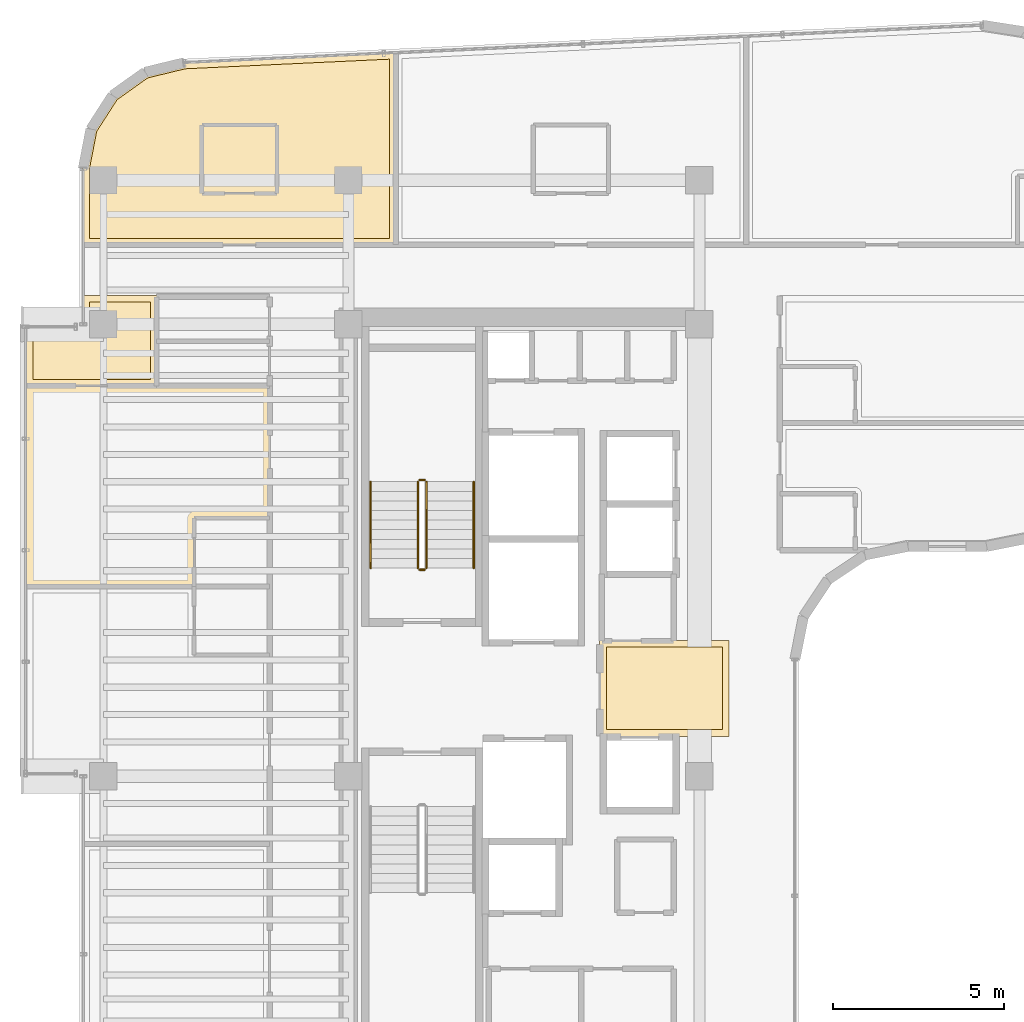
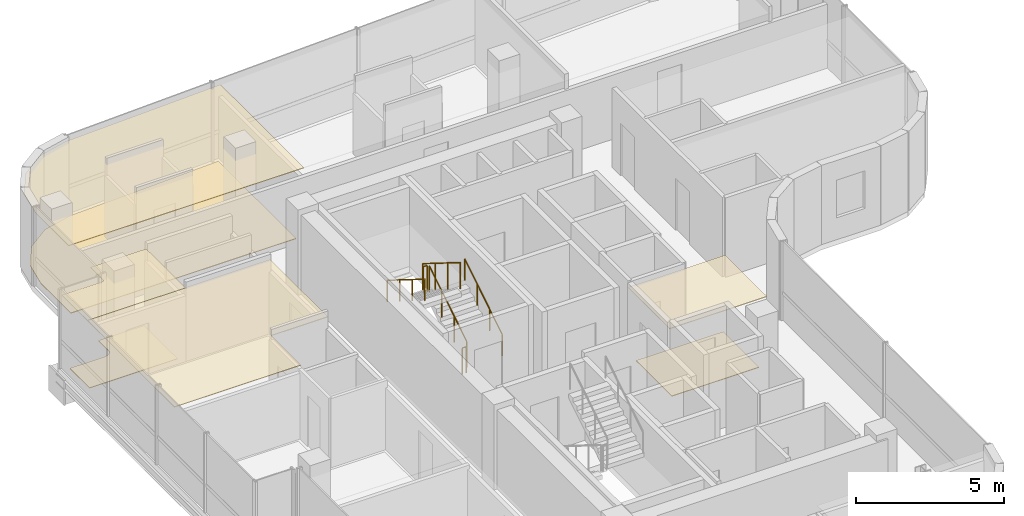
# One storey, part 19 of 20: 7 coverings, 6 railings.
"""IFC4 building model written with IfcOpenShell, lengths in metres."""

from ifc_helpers import new_model, si_unit, direction, frame, origin, origin_2d, place, context, subcontext, project, spatial, polyline, circle, outline, extrude, material, layer, layer_set, type_object, element, save


model = new_model("IFC4")

# Units and contexts
model_context = context("Model", 3, precision=1e-05, world=origin(), true_north=direction((0.0, 1.0)))
body_context = subcontext(model_context, "Body", "Model", "MODEL_VIEW")
ifc_project = project(units=[si_unit("LENGTHUNIT", "METRE"), si_unit("AREAUNIT", "SQUARE_METRE"), si_unit("VOLUMEUNIT", "CUBIC_METRE"), si_unit("PLANEANGLEUNIT", "RADIAN"), si_unit("MASSUNIT", "GRAM", prefix="KILO")], contexts=[model_context])

# Site, building, storey
site_placement = place(None, origin())
site = spatial("IfcSite", under=ifc_project, at=site_placement, CompositionType="ELEMENT")
building_placement = place(site_placement, origin())
building = spatial("IfcBuilding", under=site, at=building_placement, Name="Valdorenza Pilgrim Sanctuary Tower", CompositionType="ELEMENT")
storey_placement = place(building_placement, frame((0.0, 0.0, 244.0)))
storey = spatial("IfcBuildingStorey", under=building, at=storey_placement, Name="L63", CompositionType="ELEMENT", Elevation=244.0)

# Coverings
ifc_material_1 = material(Name="Micro-perforated acoustic mineral ceiling tile", Category="gypsum")
ifc_layer_1 = layer(ifc_material_1, 0.02490234375, Name="Micro-perforated acoustic mineral ceiling tile")
ifc_layer_set_1 = layer_set([ifc_layer_1], Name="Micro-perforated acoustic mineral ceiling tile")
covering_type_1 = type_object("IfcCoveringType", Name="COV-CLG-ACU", PredefinedType="CEILING", material=ifc_layer_set_1)
covering_1_placement = place(storey_placement, frame((0.0, 0.0, 2.9599609375)))
element("IfcCovering", 1, at=covering_1_placement, inside=storey, type_object=covering_type_1, Name="L63 Core A Passenger Lift Lobby Acoustic Ceiling", PredefinedType="CEILING", context=body_context, shape_type="SweptSolid", body=[
    extrude(outline(polyline([(-15.31494140625, 1.35009765625), (-15.31494140625, 1.3515625), (-15.314697265625, 1.352783203125), (-15.314453125, 1.3544921875), (-15.31396484375, 1.355712890625), (-15.313232421875, 1.357177734375), (-15.3125, 1.3583984375), (-15.3115234375, 1.359619140625), (-15.310546875, 1.360595703125), (-15.3095703125, 1.361572265625), (-15.308349609375, 1.362548828125), (-15.30712890625, 1.36328125), (-15.3056640625, 1.364013671875), (-15.304443359375, 1.364501953125), (-15.302978515625, 1.36474609375), (-15.301513671875, 1.364990234375), (-15.300048828125, 1.364990234375), (-11.550048828125, 1.364990234375), (-11.548583984375, 1.364990234375), (-11.547119140625, 1.36474609375), (-11.545654296875, 1.364501953125), (-11.544189453125, 1.364013671875), (-11.54296875, 1.36328125), (-11.541748046875, 1.362548828125), (-11.54052734375, 1.361572265625), (-11.539306640625, 1.360595703125), (-11.538330078125, 1.359619140625), (-11.53759765625, 1.3583984375), (-11.536865234375, 1.357177734375), (-11.5361328125, 1.355712890625), (-11.53564453125, 1.3544921875), (-11.535400390625, 1.352783203125), (-11.53515625, 1.3515625), (-11.534912109375, 1.35009765625), (-11.534912109375, -1.419921875), (-11.53515625, -1.42138671875), (-11.535400390625, -1.4228515625), (-11.53564453125, -1.42431640625), (-11.5361328125, -1.42578125), (-11.536865234375, -1.427001953125), (-11.53759765625, -1.42822265625), (-11.538330078125, -1.429443359375), (-11.539306640625, -1.4306640625), (-11.54052734375, -1.431640625), (-11.541748046875, -1.4326171875), (-11.54296875, -1.43310546875), (-11.544189453125, -1.433837890625), (-11.545654296875, -1.434326171875), (-11.547119140625, -1.434814453125), (-11.548583984375, -1.434814453125), (-11.550048828125, -1.43505859375), (-15.298095703125, -1.43505859375), (-15.299560546875, -1.434814453125), (-15.30078125, -1.434814453125), (-15.302490234375, -1.434326171875), (-15.3037109375, -1.433837890625), (-15.30517578125, -1.43310546875), (-15.306396484375, -1.4326171875), (-15.3076171875, -1.431640625), (-15.30859375, -1.4306640625), (-15.3095703125, -1.429443359375), (-15.310546875, -1.42822265625), (-15.311279296875, -1.427001953125), (-15.31201171875, -1.42578125), (-15.3125, -1.42431640625), (-15.312744140625, -1.4228515625), (-15.31298828125, -1.42138671875), (-15.31298828125, -1.419921875), (-15.31298828125, 1.244384765625), (-15.31298828125, 1.24462890625), (-15.313720703125, 1.24609375), (-15.314208984375, 1.24755859375), (-15.314697265625, 1.2490234375), (-15.31494140625, 1.25048828125), (-15.31494140625, 1.251953125), (-15.31494140625, 1.35009765625)])), origin(), (0.0, 0.0, 1.0), 0.025146484375),
])
covering_2_placement = place(storey_placement, frame((0.0, 0.0, 2.9599609375)))
element("IfcCovering", 2, at=covering_2_placement, inside=storey, type_object=covering_type_1, Name="L63 Pilgrim Scholar Office L63-WN Acoustic Ceiling", PredefinedType="CEILING", context=body_context, shape_type="SweptSolid", body=[
    extrude(outline(polyline([(-28.237060546875, 11.39453125), (-28.237060546875, 10.103759765625), (-28.23681640625, 10.10302734375), (-28.23681640625, 10.1015625), (-28.23681640625, 10.10009765625), (-28.23681640625, 10.098388671875), (-28.237060546875, 10.09814453125), (-28.237060546875, 8.800048828125), (-28.237060546875, 8.798583984375), (-28.2373046875, 8.797119140625), (-28.237548828125, 8.795654296875), (-28.238037109375, 8.794189453125), (-28.23876953125, 8.79296875), (-28.239501953125, 8.791748046875), (-28.240478515625, 8.79052734375), (-28.241455078125, 8.789306640625), (-28.242431640625, 8.788330078125), (-28.24365234375, 8.78759765625), (-28.244873046875, 8.786865234375), (-28.246337890625, 8.7861328125), (-28.24755859375, 8.78564453125), (-28.2490234375, 8.785400390625), (-28.25048828125, 8.78515625), (-28.251953125, 8.784912109375), (-32.0400390625, 8.784912109375), (-32.04150390625, 8.78515625), (-32.04296875, 8.785400390625), (-32.04443359375, 8.78564453125), (-32.045654296875, 8.7861328125), (-32.047119140625, 8.786865234375), (-32.04833984375, 8.78759765625), (-32.049560546875, 8.788330078125), (-32.050537109375, 8.789306640625), (-32.051513671875, 8.79052734375), (-32.052490234375, 8.791748046875), (-32.05322265625, 8.79296875), (-32.053955078125, 8.794189453125), (-32.054443359375, 8.795654296875), (-32.0546875, 8.797119140625), (-32.054931640625, 8.798583984375), (-32.054931640625, 8.800048828125), (-32.054931640625, 10.489990234375), (-32.054931640625, 10.491455078125), (-32.0546875, 10.492919921875), (-32.054443359375, 10.494384765625), (-32.053955078125, 10.49560546875), (-32.05322265625, 10.4970703125), (-32.052490234375, 10.498291015625), (-32.051513671875, 10.49951171875), (-32.050537109375, 10.50048828125), (-32.049560546875, 10.501708984375), (-32.04833984375, 10.50244140625), (-32.047119140625, 10.503173828125), (-32.045654296875, 10.50390625), (-32.04443359375, 10.50439453125), (-32.04296875, 10.504638671875), (-32.04150390625, 10.5048828125), (-32.0400390625, 10.5048828125), (-30.50048828125, 10.5048828125), (-30.49072265625, 10.505615234375), (-30.4814453125, 10.5068359375), (-30.472412109375, 10.509033203125), (-30.463623046875, 10.51220703125), (-30.455078125, 10.51611328125), (-30.447265625, 10.52099609375), (-30.439697265625, 10.526611328125), (-30.432861328125, 10.53271484375), (-30.426513671875, 10.539794921875), (-30.4208984375, 10.547119140625), (-30.416259765625, 10.55517578125), (-30.412109375, 10.563720703125), (-30.4091796875, 10.572509765625), (-30.40673828125, 10.58154296875), (-30.405517578125, 10.5908203125), (-30.405029296875, 10.600341796875), (-30.405029296875, 11.419921875), (-30.40478515625, 11.42138671875), (-30.40478515625, 11.4228515625), (-30.404296875, 11.42431640625), (-30.40380859375, 11.42578125), (-30.4033203125, 11.427001953125), (-30.402587890625, 11.42822265625), (-30.401611328125, 11.429443359375), (-30.400634765625, 11.4306640625), (-30.3994140625, 11.431640625), (-30.398193359375, 11.4326171875), (-30.397216796875, 11.43310546875), (-30.395751953125, 11.433837890625), (-30.394287109375, 11.434326171875), (-30.392822265625, 11.434814453125), (-30.3916015625, 11.434814453125), (-30.389892578125, 11.43505859375), (-28.25, 11.43505859375), (-28.24853515625, 11.434814453125), (-28.2470703125, 11.434814453125), (-28.24560546875, 11.434326171875), (-28.244384765625, 11.433837890625), (-28.242919921875, 11.43310546875), (-28.24169921875, 11.4326171875), (-28.240478515625, 11.431640625), (-28.239501953125, 11.4306640625), (-28.23828125, 11.429443359375), (-28.237548828125, 11.42822265625), (-28.23681640625, 11.427001953125), (-28.236083984375, 11.42578125), (-28.235595703125, 11.42431640625), (-28.2353515625, 11.4228515625), (-28.235107421875, 11.42138671875), (-28.235107421875, 11.419921875), (-28.235107421875, 11.402099609375), (-28.235107421875, 11.400390625), (-28.2353515625, 11.39892578125), (-28.235595703125, 11.3974609375), (-28.236083984375, 11.39599609375), (-28.23681640625, 11.394775390625), (-28.237060546875, 11.39453125)])), origin(), (0.0, 0.0, 1.0), 0.025146484375),
])
covering_3_placement = place(storey_placement, frame((0.0, 0.0, 2.9599609375)))
element("IfcCovering", 3, at=covering_3_placement, inside=storey, type_object=covering_type_1, Name="L63 Pilgrim Guest Room L63-HW2 Acoustic Ceiling", PredefinedType="CEILING", context=body_context, shape_type="SweptSolid", body=[
    extrude(outline(polyline([(-28.253662109375, 8.81298828125), (-28.253173828125, 8.81298828125), (-28.25146484375, 8.813232421875), (-28.25, 8.813232421875), (-28.24853515625, 8.81298828125), (-28.248291015625, 8.81298828125), (-24.949951171875, 8.81298828125), (-24.948486328125, 8.81298828125), (-24.947021484375, 8.812744140625), (-24.945556640625, 8.8125), (-24.9443359375, 8.81201171875), (-24.94287109375, 8.811279296875), (-24.941650390625, 8.810546875), (-24.9404296875, 8.8095703125), (-24.939453125, 8.80859375), (-24.9384765625, 8.8076171875), (-24.9375, 8.806396484375), (-24.936767578125, 8.80517578125), (-24.93603515625, 8.8037109375), (-24.935546875, 8.802490234375), (-24.935302734375, 8.80078125), (-24.93505859375, 8.799560546875), (-24.93505859375, 8.798095703125), (-24.93505859375, 4.93798828125), (-24.93505859375, 4.9365234375), (-24.935302734375, 4.93505859375), (-24.935546875, 4.93359375), (-24.93603515625, 4.932373046875), (-24.936767578125, 4.930908203125), (-24.9375, 4.9296875), (-24.9384765625, 4.928466796875), (-24.939453125, 4.927490234375), (-24.9404296875, 4.926513671875), (-24.941650390625, 4.925537109375), (-24.94287109375, 4.9248046875), (-24.9443359375, 4.924072265625), (-24.945556640625, 4.923583984375), (-24.947021484375, 4.92333984375), (-24.948486328125, 4.923095703125), (-24.949951171875, 4.923095703125), (-27.136962890625, 4.923095703125), (-27.136962890625, 2.93798828125), (-27.13720703125, 2.9365234375), (-27.13720703125, 2.93505859375), (-27.1376953125, 2.93359375), (-27.13818359375, 2.932373046875), (-27.138916015625, 2.930908203125), (-27.139404296875, 2.9296875), (-27.140380859375, 2.928466796875), (-27.141357421875, 2.927490234375), (-27.142578125, 2.926513671875), (-27.143798828125, 2.925537109375), (-27.14501953125, 2.9248046875), (-27.146240234375, 2.924072265625), (-27.147705078125, 2.923583984375), (-27.149169921875, 2.92333984375), (-27.150390625, 2.923095703125), (-27.152099609375, 2.923095703125), (-32.0400390625, 2.923095703125), (-32.04150390625, 2.923095703125), (-32.04296875, 2.92333984375), (-32.04443359375, 2.923583984375), (-32.045654296875, 2.924072265625), (-32.047119140625, 2.9248046875), (-32.04833984375, 2.925537109375), (-32.049560546875, 2.926513671875), (-32.050537109375, 2.927490234375), (-32.051513671875, 2.928466796875), (-32.052490234375, 2.9296875), (-32.05322265625, 2.930908203125), (-32.053955078125, 2.932373046875), (-32.054443359375, 2.93359375), (-32.0546875, 2.93505859375), (-32.054931640625, 2.9365234375), (-32.054931640625, 2.93798828125), (-32.054931640625, 8.798095703125), (-32.054931640625, 8.799560546875), (-32.0546875, 8.80078125), (-32.054443359375, 8.802490234375), (-32.053955078125, 8.8037109375), (-32.05322265625, 8.80517578125), (-32.052490234375, 8.806396484375), (-32.051513671875, 8.8076171875), (-32.050537109375, 8.80859375), (-32.049560546875, 8.8095703125), (-32.04833984375, 8.810546875), (-32.047119140625, 8.811279296875), (-32.045654296875, 8.81201171875), (-32.04443359375, 8.8125), (-32.04296875, 8.812744140625), (-32.04150390625, 8.81298828125), (-32.0400390625, 8.81298828125), (-28.253662109375, 8.81298828125)])), origin(), (0.0, 0.0, 1.0), 0.025146484375),
])
covering_4_placement = place(storey_placement, frame((0.0, 0.0, 2.9599609375)))
element("IfcCovering", 4, at=covering_4_placement, inside=storey, type_object=covering_type_1, Name="L63 North Guest Room L63-N1 Acoustic Ceiling", PredefinedType="CEILING", context=body_context, shape_type="SweptSolid", body=[
    extrude(outline(polyline([(-30.181396484375, 16.298095703125), (-30.180908203125, 16.299560546875), (-30.180419921875, 16.30078125), (-30.179931640625, 16.30224609375), (-30.17919921875, 16.303466796875), (-29.547119140625, 17.286865234375), (-29.546142578125, 17.2880859375), (-29.545166015625, 17.2890625), (-29.544189453125, 17.2900390625), (-29.54296875, 17.291015625), (-28.59033203125, 17.968994140625), (-28.589111328125, 17.9697265625), (-28.587890625, 17.97021484375), (-28.586669921875, 17.970947265625), (-28.585205078125, 17.97119140625), (-27.438720703125, 18.248779296875), (-27.437255859375, 18.249267578125), (-27.435791015625, 18.249267578125), (-21.267578125, 18.5400390625), (-21.26611328125, 18.5400390625), (-21.2646484375, 18.539794921875), (-21.26318359375, 18.53955078125), (-21.26171875, 18.5390625), (-21.260498046875, 18.53857421875), (-21.259033203125, 18.537841796875), (-21.2578125, 18.536865234375), (-21.256591796875, 18.535888671875), (-21.255615234375, 18.534912109375), (-21.254638671875, 18.53369140625), (-21.25390625, 18.532470703125), (-21.253173828125, 18.531005859375), (-21.252685546875, 18.529541015625), (-21.252197265625, 18.528076171875), (-21.252197265625, 18.526611328125), (-21.251953125, 18.525146484375), (-21.251953125, 12.919921875), (-21.252197265625, 12.91845703125), (-21.252197265625, 12.9169921875), (-21.252685546875, 12.91552734375), (-21.253173828125, 12.914306640625), (-21.25390625, 12.912841796875), (-21.25439453125, 12.91162109375), (-21.25537109375, 12.910400390625), (-21.25634765625, 12.909423828125), (-21.257568359375, 12.908447265625), (-21.2587890625, 12.907470703125), (-21.260009765625, 12.90673828125), (-21.26123046875, 12.906005859375), (-21.2626953125, 12.905517578125), (-21.26416015625, 12.9052734375), (-21.265380859375, 12.905029296875), (-21.26708984375, 12.905029296875), (-30.389892578125, 12.905029296875), (-30.3916015625, 12.905029296875), (-30.392822265625, 12.9052734375), (-30.394287109375, 12.905517578125), (-30.395751953125, 12.906005859375), (-30.397216796875, 12.90673828125), (-30.398193359375, 12.907470703125), (-30.3994140625, 12.908447265625), (-30.400634765625, 12.909423828125), (-30.401611328125, 12.910400390625), (-30.402587890625, 12.91162109375), (-30.4033203125, 12.912841796875), (-30.40380859375, 12.914306640625), (-30.404296875, 12.91552734375), (-30.40478515625, 12.9169921875), (-30.40478515625, 12.91845703125), (-30.405029296875, 12.919921875), (-30.405029296875, 15.13671875), (-30.40478515625, 15.13818359375), (-30.40478515625, 15.1396484375), (-30.181396484375, 16.298095703125)])), origin(), (0.0, 0.0, 1.0), 0.025146484375),
])
ifc_material_2 = material(Name="Engineered European oak timber flooring", Category="wood")
ifc_layer_2 = layer(ifc_material_2, 0.02197265625, Name="Engineered European oak timber flooring")
ifc_layer_set_2 = layer_set([ifc_layer_2], Name="Engineered European oak timber flooring")
covering_type_2 = type_object("IfcCoveringType", Name="COV-FLR-OAK", PredefinedType="FLOORING", material=ifc_layer_set_2)
covering_5_placement = place(storey_placement, origin())
element("IfcCovering", 5, at=covering_5_placement, inside=storey, type_object=covering_type_2, Name="L63 North Guest Room L63-N1 Flooring", PredefinedType="FLOORING", context=body_context, shape_type="SweptSolid", body=[
    extrude(outline(polyline([(-29.996337890625, 16.227294921875), (-29.401611328125, 17.152099609375), (-28.505615234375, 17.789794921875), (-27.409423828125, 18.055419921875), (-21.447021484375, 18.33642578125), (-21.447021484375, 13.10009765625), (-30.2099609375, 13.10009765625), (-30.2099609375, 15.11962890625), (-29.996337890625, 16.227294921875)])), origin(), (0.0, 0.0, 1.0), 0.02490234375),
])
ifc_material_3 = material(Name="Honed travertine stone flooring", Category="masonry")
ifc_layer_3 = layer(ifc_material_3, 0.030029296875, Name="Honed travertine stone flooring")
ifc_layer_set_3 = layer_set([ifc_layer_3], Name="Honed travertine stone flooring")
covering_type_3 = type_object("IfcCoveringType", Name="COV-FLR-TRV", PredefinedType="FLOORING", material=ifc_layer_set_3)
covering_6_placement = place(storey_placement, origin())
element("IfcCovering", 6, at=covering_6_placement, inside=storey, type_object=covering_type_3, Name="L63 Core A Passenger Lift Lobby Flooring", PredefinedType="FLOORING", context=body_context, shape_type="SweptSolid", body=[
    extrude(outline(polyline([(-15.117919921875, 1.169921875), (-11.72998046875, 1.169921875), (-11.72998046875, -1.239990234375), (-15.117919921875, -1.239990234375), (-15.117919921875, 1.169921875)])), origin(), (0.0, 0.0, 1.0), 0.02490234375),
])
covering_7_placement = place(storey_placement, origin())
element("IfcCovering", 7, at=covering_7_placement, inside=storey, type_object=covering_type_3, Name="L63 Pilgrim Scholar Office L63-WN Flooring", PredefinedType="FLOORING", context=body_context, shape_type="SweptSolid", body=[
    extrude(outline(polyline([(-28.431884765625, 11.239990234375), (-28.431884765625, 10.10205078125), (-28.431884765625, 10.10107421875), (-28.431884765625, 10.100341796875), (-28.431884765625, 10.10009765625), (-28.431884765625, 8.97998046875), (-31.860107421875, 8.97998046875), (-31.860107421875, 10.31005859375), (-30.5, 10.31005859375), (-30.4912109375, 10.310302734375), (-30.48046875, 10.310791015625), (-30.462890625, 10.3125), (-30.4521484375, 10.314208984375), (-30.434814453125, 10.3173828125), (-30.42431640625, 10.320068359375), (-30.407470703125, 10.3251953125), (-30.397216796875, 10.328857421875), (-30.380859375, 10.335693359375), (-30.37109375, 10.34033203125), (-30.355712890625, 10.3486328125), (-30.34619140625, 10.35400390625), (-30.331787109375, 10.364013671875), (-30.322998046875, 10.370361328125), (-30.309326171875, 10.381591796875), (-30.30126953125, 10.388916015625), (-30.288818359375, 10.4013671875), (-30.281494140625, 10.4091796875), (-30.2705078125, 10.423095703125), (-30.263916015625, 10.431640625), (-30.254150390625, 10.4462890625), (-30.24853515625, 10.45556640625), (-30.240234375, 10.47119140625), (-30.235595703125, 10.48095703125), (-30.22900390625, 10.497314453125), (-30.225341796875, 10.50732421875), (-30.22021484375, 10.5244140625), (-30.217529296875, 10.534912109375), (-30.214111328125, 10.552001953125), (-30.21240234375, 10.562744140625), (-30.210693359375, 10.580322265625), (-30.210205078125, 10.59130859375), (-30.2099609375, 10.60009765625), (-30.2099609375, 11.239990234375), (-28.431884765625, 11.239990234375)])), origin(), (0.0, 0.0, 1.0), 0.02490234375),
])

# Railings
ifc_material_4 = material(Name="Stainless steel Grade 316", Category="steel")
railing_type_1 = type_object("IfcRailingType", Name="RLG-GRD-1120", PredefinedType="GUARDRAIL", material=ifc_material_4)
railing_1_placement = place(storey_placement, frame((-20.3701171875, 3.47998046875, 0.175048828125)))
element("IfcRailing", 8, at=railing_1_placement, inside=storey, type_object=railing_type_1, Name="L63 ST-A1 stair guard 1", PredefinedType="GUARDRAIL", context=body_context, shape_type="SweptSolid", body=[
    extrude(circle(Radius=0.02392578125, at=origin_2d()), frame((0.0, 0.0, 1.076171875), z_axis=(0.0, 0.848007534815, 0.529984170421), x_axis=(-1.0, 0.0, 0.0)), (0.0, 0.0, 1.0), 2.9716796875),
    extrude(circle(Radius=0.02099609375, at=origin_2d()), origin(), (0.0, 0.0, 1.0), 1.052001953125),
    extrude(circle(Radius=0.02099609375, at=origin_2d()), frame((0.0, 0.840087890625, 0.52490234375)), (0.0, 0.0, 1.0), 1.052001953125),
    extrude(circle(Radius=0.02099609375, at=origin_2d()), frame((0.0, 1.679931640625, 1.050048828125)), (0.0, 0.0, 1.0), 1.052001953125),
    extrude(circle(Radius=0.02099609375, at=origin_2d()), frame((0.0, 2.52001953125, 1.574951171875)), (0.0, 0.0, 1.0), 1.052001953125),
])
railing_2_placement = place(storey_placement, frame((-20.419921875, 6.050048828125, 1.75)))
element("IfcRailing", 9, at=railing_2_placement, inside=storey, type_object=railing_type_1, Name="L63 ST-A1 stair guard 2", PredefinedType="GUARDRAIL", context=body_context, shape_type="SweptSolid", body=[
    extrude(circle(Radius=0.02392578125, at=origin_2d()), frame((0.0, 0.0, 1.076171875), z_axis=(-1.0, 0.0, 0.0), x_axis=(0.0, -1.0, 0.0)), (0.0, 0.0, 1.0), 0.150146484375),
    extrude(circle(Radius=0.02099609375, at=origin_2d()), origin(), (0.0, 0.0, 1.0), 1.052001953125),
    extrude(circle(Radius=0.02099609375, at=origin_2d()), frame((-0.150146484375, 0.0, 0.0)), (0.0, 0.0, 1.0), 1.052001953125),
])
railing_3_placement = place(storey_placement, frame((-20.6201171875, 6.0, 1.925048828125)))
element("IfcRailing", 10, at=railing_3_placement, inside=storey, type_object=railing_type_1, Name="L63 ST-A1 stair guard 3", PredefinedType="GUARDRAIL", context=body_context, shape_type="SweptSolid", body=[
    extrude(circle(Radius=0.02392578125, at=origin_2d()), frame((0.0, 0.0, 1.076171875), z_axis=(0.0, -0.848007534815, 0.529984170421), x_axis=(1.0, 0.0, 0.0)), (0.0, 0.0, 1.0), 2.9716796875),
    extrude(circle(Radius=0.02099609375, at=origin_2d()), origin(), (0.0, 0.0, 1.0), 1.052001953125),
    extrude(circle(Radius=0.02099609375, at=origin_2d()), frame((0.0, -0.840087890625, 0.52490234375)), (0.0, 0.0, 1.0), 1.052001953125),
    extrude(circle(Radius=0.02099609375, at=origin_2d()), frame((0.0, -1.679931640625, 1.050048828125)), (0.0, 0.0, 1.0), 1.052001953125),
    extrude(circle(Radius=0.02099609375, at=origin_2d()), frame((0.0, -2.52001953125, 1.574951171875)), (0.0, 0.0, 1.0), 1.052001953125),
])
railing_4_placement = place(storey_placement, frame((-20.419921875, 3.429931640625, 0.0)))
element("IfcRailing", 11, at=railing_4_placement, inside=storey, type_object=railing_type_1, Name="L63 ST-A1 stair guard 4", PredefinedType="GUARDRAIL", context=body_context, shape_type="SweptSolid", body=[
    extrude(circle(Radius=0.02392578125, at=origin_2d()), frame((0.0, 0.0, 1.076171875), z_axis=(-1.0, 0.0, 0.0), x_axis=(0.0, -1.0, 0.0)), (0.0, 0.0, 1.0), 0.150146484375),
    extrude(circle(Radius=0.02099609375, at=origin_2d()), origin(), (0.0, 0.0, 1.0), 1.052001953125),
    extrude(circle(Radius=0.02099609375, at=origin_2d()), frame((-0.150146484375, 0.0, 0.0)), (0.0, 0.0, 1.0), 1.052001953125),
])
ifc_material_5 = material(Name="Brushed stainless steel Grade 316", Category="steel")
railing_type_2 = type_object("IfcRailingType", Name="RLG-HND-920", PredefinedType="HANDRAIL", material=ifc_material_5)
railing_5_placement = place(storey_placement, frame((-18.989990234375, 3.47998046875, 0.175048828125)))
element("IfcRailing", 12, at=railing_5_placement, inside=storey, type_object=railing_type_2, Name="L63 ST-A1 stair handrail 1", PredefinedType="HANDRAIL", context=body_context, shape_type="SweptSolid", body=[
    extrude(circle(Radius=0.02392578125, at=origin_2d()), frame((0.0, 0.0, 0.8759765625), z_axis=(0.0, 0.848007534815, 0.529984170421), x_axis=(-1.0, 0.0, 0.0)), (0.0, 0.0, 1.0), 2.9716796875),
    extrude(circle(Radius=0.02099609375, at=origin_2d()), origin(), (0.0, 0.0, 1.0), 0.851806640625),
    extrude(circle(Radius=0.02099609375, at=origin_2d()), frame((0.0, 0.840087890625, 0.52490234375)), (0.0, 0.0, 1.0), 0.851806640625),
    extrude(circle(Radius=0.02099609375, at=origin_2d()), frame((0.0, 1.679931640625, 1.050048828125)), (0.0, 0.0, 1.0), 0.851806640625),
    extrude(circle(Radius=0.02099609375, at=origin_2d()), frame((0.0, 2.52001953125, 1.574951171875)), (0.0, 0.0, 1.0), 0.851806640625),
])
railing_6_placement = place(storey_placement, frame((-22.0, 6.0, 1.925048828125)))
element("IfcRailing", 13, at=railing_6_placement, inside=storey, type_object=railing_type_2, Name="L63 ST-A1 stair handrail 2", PredefinedType="HANDRAIL", context=body_context, shape_type="SweptSolid", body=[
    extrude(circle(Radius=0.02392578125, at=origin_2d()), frame((0.0, 0.0, 0.8759765625), z_axis=(0.0, -0.848007534815, 0.529984170421), x_axis=(1.0, 0.0, 0.0)), (0.0, 0.0, 1.0), 2.9716796875),
    extrude(circle(Radius=0.02099609375, at=origin_2d()), origin(), (0.0, 0.0, 1.0), 0.851806640625),
    extrude(circle(Radius=0.02099609375, at=origin_2d()), frame((0.0, -0.840087890625, 0.52490234375)), (0.0, 0.0, 1.0), 0.851806640625),
    extrude(circle(Radius=0.02099609375, at=origin_2d()), frame((0.0, -1.679931640625, 1.050048828125)), (0.0, 0.0, 1.0), 0.851806640625),
    extrude(circle(Radius=0.02099609375, at=origin_2d()), frame((0.0, -2.52001953125, 1.574951171875)), (0.0, 0.0, 1.0), 0.851806640625),
])

save(model, "model.ifc")
